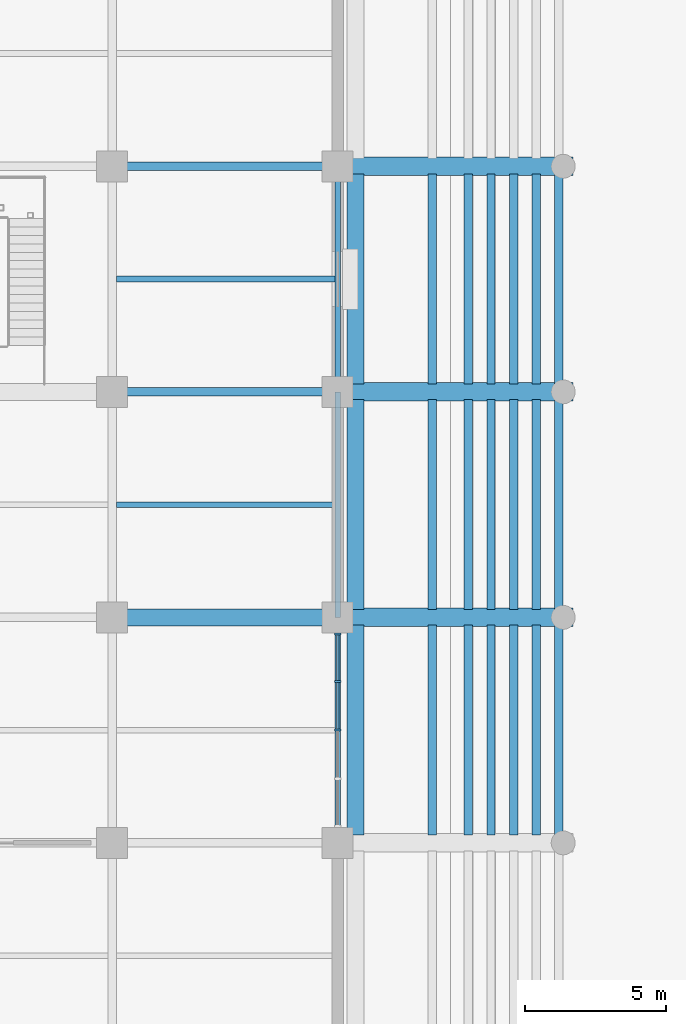
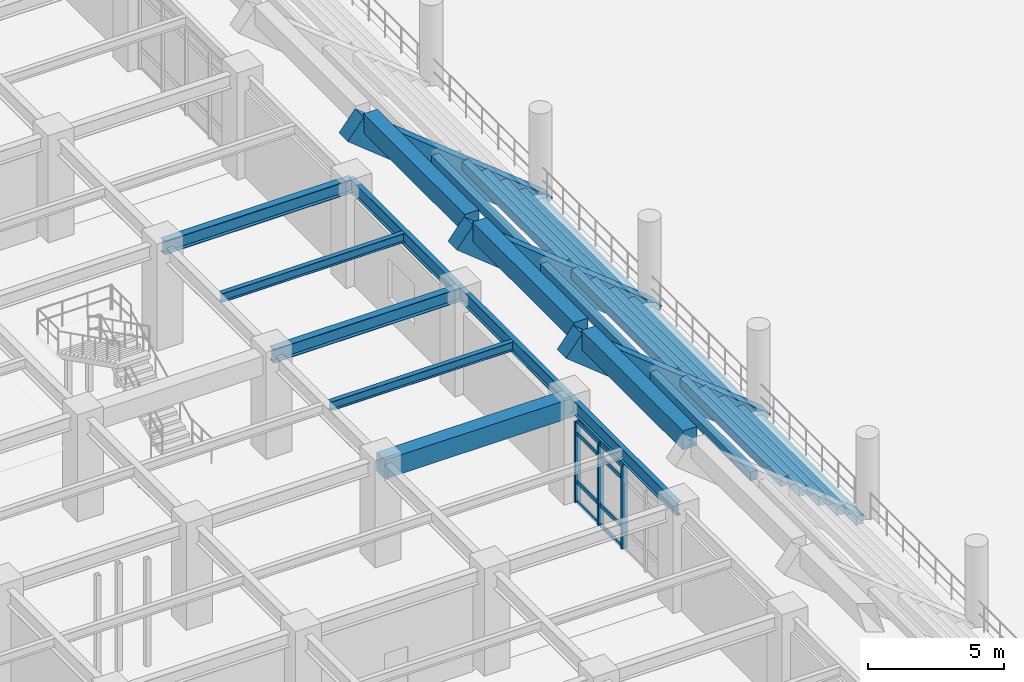
# One storey, part 29 of 125: 32 beams, 11 members, 1 element without a shape of its own.
"""IFC4 building model written with IfcOpenShell, lengths in metres."""

from ifc_helpers import new_model, si_unit, direction, frame, origin, origin_2d, place, context, subcontext, project, spatial, rectangle, i_section, extrude, material, layer, layer_set, material_profile, profile_set, type_object, element, aggregate, save


model = new_model("IFC4")

# Units and contexts
model_context = context("Model", 3, precision=1e-05, world=origin(), true_north=direction((0.0, 1.0)))
body_context = subcontext(model_context, "Body", "Model", "MODEL_VIEW")
ifc_project = project(units=[si_unit("LENGTHUNIT", "METRE"), si_unit("AREAUNIT", "SQUARE_METRE"), si_unit("VOLUMEUNIT", "CUBIC_METRE"), si_unit("PLANEANGLEUNIT", "RADIAN"), si_unit("MASSUNIT", "GRAM", prefix="KILO")], contexts=[model_context])

# Site, building, storey
site_placement = place(None, origin())
site = spatial("IfcSite", under=ifc_project, at=site_placement, CompositionType="ELEMENT")
building_placement = place(site_placement, origin())
building = spatial("IfcBuilding", under=site, at=building_placement, Name="Haebicheon Civic Stadium", CompositionType="ELEMENT")
storey_placement = place(building_placement, origin())
storey = spatial("IfcBuildingStorey", under=building, at=storey_placement, Name="L01", CompositionType="ELEMENT", Elevation=0.0)

# Beams
ifc_material_1 = material(Name="Precast concrete C40/50", Category="concrete")
ifc_material_profile_1 = material_profile(ifc_material_1, rectangle(XDim=0.300048828125, YDim=0.39990234375, at=origin_2d()), Name="PC-LN-300x400")
ifc_profile_set_1 = profile_set([ifc_material_profile_1], Name="Precast concrete C40/50")
beam_type_1 = type_object("IfcBeamType", Name="BM-LN-300x400", PredefinedType="LINTEL", material=ifc_profile_set_1)
for number, where, z_axis, x_axis, name in (
    (1, (71.840087890625, 96.280029296875, 0.760009765625), (0.0, 1.0, 0.0), (-1.0, 0.0, 0.0), "TIER-W-L precast step carrier beam 7.1"),
    (2, (71.0400390625, 96.280029296875, 1.470947265625), (0.0, 1.0, 0.0), (-1.0, 0.0, 0.0), "TIER-W-L precast step carrier beam 7.2"),
    (3, (70.239990234375, 96.280029296875, 2.181884765625), (0.0, 1.0, 0.0), (-1.0, 0.0, 0.0), "TIER-W-L precast step carrier beam 7.3"),
    (4, (69.43994140625, 96.280029296875, 2.89306640625), (0.0, 1.0, 0.0), (-1.0, 0.0, 0.0), "TIER-W-L precast step carrier beam 7.4"),
    (5, (68.639892578125, 96.280029296875, 3.60400390625), (0.0, 1.0, 0.0), (-1.0, 0.0, 0.0), "TIER-W-L precast step carrier beam 7.5"),
    (6, (67.360107421875, 96.280029296875, 4.31591796875), (0.0, 1.0, 0.0), (-1.0, 0.0, 0.0), "TIER-W-L precast step carrier beam 7.6"),
    (7, (71.840087890625, 104.280029296875, 0.760009765625), (0.0, 1.0, 0.0), (-1.0, 0.0, 0.0), "TIER-W-L precast step carrier beam 8.1"),
    (8, (71.0400390625, 104.280029296875, 1.470947265625), (0.0, 1.0, 0.0), (-1.0, 0.0, 0.0), "TIER-W-L precast step carrier beam 8.2"),
    (9, (70.239990234375, 104.280029296875, 2.181884765625), (0.0, 1.0, 0.0), (-1.0, 0.0, 0.0), "TIER-W-L precast step carrier beam 8.3"),
    (10, (69.43994140625, 104.280029296875, 2.89306640625), (0.0, 1.0, 0.0), (-1.0, 0.0, 0.0), "TIER-W-L precast step carrier beam 8.4"),
    (11, (68.639892578125, 104.280029296875, 3.60400390625), (0.0, 1.0, 0.0), (-1.0, 0.0, 0.0), "TIER-W-L precast step carrier beam 8.5"),
    (12, (67.360107421875, 104.280029296875, 4.31591796875), (0.0, 1.0, 0.0), (-1.0, 0.0, 0.0), "TIER-W-L precast step carrier beam 8.6"),
    (13, (71.840087890625, 112.280029296875, 0.760009765625), (0.0, 1.0, 0.0), (-1.0, 0.0, 0.0), "TIER-W-L precast step carrier beam 9.1"),
    (14, (71.0400390625, 112.280029296875, 1.470947265625), (0.0, 1.0, 0.0), (-1.0, 0.0, 0.0), "TIER-W-L precast step carrier beam 9.2"),
    (15, (70.239990234375, 112.280029296875, 2.181884765625), (0.0, 1.0, 0.0), (-1.0, 0.0, 0.0), "TIER-W-L precast step carrier beam 9.3"),
    (16, (69.43994140625, 112.280029296875, 2.89306640625), (0.0, 1.0, 0.0), (-1.0, 0.0, 0.0), "TIER-W-L precast step carrier beam 9.4"),
    (17, (68.639892578125, 112.280029296875, 3.60400390625), (0.0, 1.0, 0.0), (-1.0, 0.0, 0.0), "TIER-W-L precast step carrier beam 9.5"),
    (18, (67.360107421875, 112.280029296875, 4.31591796875), (0.0, 1.0, 0.0), (-1.0, 0.0, 0.0), "TIER-W-L precast step carrier beam 9.6"),
):
    element("IfcBeam", number, at=place(storey_placement, frame(where, z_axis=z_axis, x_axis=x_axis)), inside=storey, type_object=beam_type_1, material=ifc_profile_set_1, Name=name, PredefinedType="LINTEL", context=body_context, shape_type="SweptSolid", body=[
        extrude(rectangle(XDim=0.300048828125, YDim=0.39990234375, at=origin_2d()), origin(), (0.0, 0.0, 1.0), 7.43994140625),
    ])
ifc_material_2 = material(Name="Steel SM355 (S355)", Category="steel")
ifc_material_profile_2 = material_profile(ifc_material_2, i_section(OverallWidth=0.300048828125, OverallDepth=0.60009765625, WebThickness=0.011962890625, FlangeThickness=0.02001953125, at=origin_2d()), Name="H-600x300x12x20")
ifc_profile_set_2 = profile_set([ifc_material_profile_2], Name="Steel SM355 (S355)")
beam_type_2 = type_object("IfcBeamType", Name="BM-ST-H600A", PredefinedType="BEAM", material=ifc_profile_set_2)
for number, where, z_axis, x_axis, name in (
    (19, (56.0, 112.0, 4.179931640625), (1.0, 0.0, 0.0), (0.0, 1.0, 0.0), "L01 beam Q/8-9"),
    (20, (56.0, 120.0, 4.179931640625), (1.0, 0.0, 0.0), (0.0, 1.0, 0.0), "L01 beam R/8-9"),
):
    element("IfcBeam", number, at=place(storey_placement, frame(where, z_axis=z_axis, x_axis=x_axis)), inside=storey, type_object=beam_type_2, material=ifc_profile_set_2, Name=name, PredefinedType="BEAM", context=body_context, shape_type="SweptSolid", body=[
        extrude(i_section(OverallWidth=0.300048828125, OverallDepth=0.60009765625, WebThickness=0.011962890625, FlangeThickness=0.02001953125, at=origin_2d()), origin(), (0.0, 0.0, 1.0), 8.0),
    ])
ifc_material_3 = material(Name="Precast concrete C40/50", Category="concrete")
ifc_material_profile_3 = material_profile(ifc_material_3, rectangle(XDim=0.60009765625, YDim=0.85009765625, at=origin_2d()), Name="PC-TB-600x850")
ifc_profile_set_3 = profile_set([ifc_material_profile_3], Name="Precast concrete C40/50")
beam_type_3 = type_object("IfcBeamType", Name="BM-TB-600x850", PredefinedType="T_BEAM", material=ifc_profile_set_3)
beam_placement = place(storey_placement, frame((56.0, 104.0, 4.054931640625), z_axis=(1.0, 0.0, 0.0), x_axis=(0.0, 1.0, 0.0)))
element("IfcBeam", 21, at=beam_placement, inside=storey, type_object=beam_type_3, material=ifc_profile_set_3, Name="L01 beam P/8-9", PredefinedType="T_BEAM", context=body_context, shape_type="SweptSolid", body=[
    extrude(rectangle(XDim=0.60009765625, YDim=0.85009765625, at=origin_2d()), origin(), (0.0, 0.0, 1.0), 8.0),
])
for number, where, z_axis, x_axis, name in (
    (22, (64.639892578125, 96.280029296875, 6.93505859375), (0.0, 1.0, 0.0), (-1.0, 0.0, 0.0), "TIER-W-L upper tier bench carrier beam 7"),
    (23, (64.639892578125, 104.280029296875, 6.93505859375), (0.0, 1.0, 0.0), (-1.0, 0.0, 0.0), "TIER-W-L upper tier bench carrier beam 8"),
    (24, (64.639892578125, 112.280029296875, 6.93505859375), (0.0, 1.0, 0.0), (-1.0, 0.0, 0.0), "TIER-W-L upper tier bench carrier beam 9"),
):
    element("IfcBeam", number, at=place(storey_placement, frame(where, z_axis=z_axis, x_axis=x_axis)), inside=storey, type_object=beam_type_3, material=ifc_profile_set_3, Name=name, PredefinedType="T_BEAM", context=body_context, shape_type="SweptSolid", body=[
        extrude(rectangle(XDim=0.60009765625, YDim=0.85009765625, at=origin_2d()), origin(), (0.0, 0.0, 1.0), 7.43994140625),
    ])

# Curtain wall, members
ifc_material_4 = material(Name="Anodised aluminium and laminated glass", Category="aluminium")
ifc_layer = layer(ifc_material_4, 0.179931640625, Name="Anodised aluminium and laminated glass")
ifc_layer_set = layer_set([ifc_layer], Name="Anodised aluminium and laminated glass")
curtain_wall_type = type_object("IfcCurtainWallType", Name="CW-6900x3620", PredefinedType="NOTDEFINED", material=ifc_layer_set)
curtain_wall_placement = place(storey_placement, origin())
curtain_wall = element("IfcCurtainWall", 25, at=curtain_wall_placement, inside=storey, type_object=curtain_wall_type, material=ifc_layer_set, Name="L01 unitised curtain wall 007", PredefinedType="NOTDEFINED")
ifc_material_5 = material(Name="Anodised aluminium 6063-T6", Category="aluminium")
ifc_material_profile_4 = material_profile(ifc_material_5, rectangle(XDim=0.080078125, YDim=0.239990234375, at=origin_2d()), Name="ALU-MULL-80x240")
ifc_profile_set_4 = profile_set([ifc_material_profile_4], Name="Anodised aluminium 6063-T6")
member_type_1 = type_object("IfcMemberType", Name="CWM-240x80", PredefinedType="MULLION", material=ifc_profile_set_4)
member_1_placement = place(storey_placement, frame((64.0, 100.0, 0.0), z_axis=(0.0, 0.0, 1.0), x_axis=(0.0, 1.0, 0.0)))
member_1 = element("IfcMember", 26, at=member_1_placement, type_object=member_type_1, material=ifc_profile_set_4, Name="CW-L01-007 vertical mullion 3", PredefinedType="MULLION", context=body_context, shape_type="SweptSolid", body=[
    extrude(rectangle(XDim=0.080078125, YDim=0.239990234375, at=origin_2d()), origin(), (0.0, 0.0, 1.0), 3.6201171875),
])
member_2_placement = place(storey_placement, frame((64.0, 101.72509765625, 0.0), z_axis=(0.0, 0.0, 1.0), x_axis=(0.0, 1.0, 0.0)))
member_2 = element("IfcMember", 27, at=member_2_placement, type_object=member_type_1, material=ifc_profile_set_4, Name="CW-L01-007 vertical mullion 4", PredefinedType="MULLION", context=body_context, shape_type="SweptSolid", body=[
    extrude(rectangle(XDim=0.080078125, YDim=0.239990234375, at=origin_2d()), origin(), (0.0, 0.0, 1.0), 3.6201171875),
])
member_3_placement = place(storey_placement, frame((64.0, 103.409912109375, 0.0), z_axis=(0.0, 0.0, 1.0), x_axis=(0.0, 1.0, 0.0)))
member_3 = element("IfcMember", 28, at=member_3_placement, type_object=member_type_1, material=ifc_profile_set_4, Name="CW-L01-007 vertical mullion 5", PredefinedType="MULLION", context=body_context, shape_type="SweptSolid", body=[
    extrude(rectangle(XDim=0.080078125, YDim=0.239990234375, at=origin_2d()), origin(), (0.0, 0.0, 1.0), 3.6201171875),
])
ifc_material_6 = material(Name="Anodised aluminium 6063-T6", Category="aluminium")
ifc_material_profile_5 = material_profile(ifc_material_6, rectangle(XDim=0.080078125, YDim=0.179931640625, at=origin_2d()), Name="ALU-TRAN-80x180")
ifc_profile_set_5 = profile_set([ifc_material_profile_5], Name="Anodised aluminium 6063-T6")
member_type_2 = type_object("IfcMemberType", Name="CWT-180x80", PredefinedType="NOTDEFINED", material=ifc_profile_set_5)
member_4_placement = place(storey_placement, frame((64.0, 100.0400390625, 0.0), z_axis=(0.0, 1.0, 0.0), x_axis=(-1.0, 0.0, 0.0)))
member_4 = element("IfcMember", 29, at=member_4_placement, type_object=member_type_2, material=ifc_profile_set_5, Name="CW-L01-007 horizontal transom 3.1", ObjectType="TRANSOM", PredefinedType="USERDEFINED", context=body_context, shape_type="SweptSolid", body=[
    extrude(rectangle(XDim=0.080078125, YDim=0.179931640625, at=origin_2d()), origin(), (0.0, 0.0, 1.0), 1.64501953125),
])
member_5_placement = place(storey_placement, frame((64.0, 100.0400390625, 0.89990234375), z_axis=(0.0, 1.0, 0.0), x_axis=(-1.0, 0.0, 0.0)))
member_5 = element("IfcMember", 30, at=member_5_placement, type_object=member_type_2, material=ifc_profile_set_5, Name="CW-L01-007 horizontal transom 3.2", ObjectType="TRANSOM", PredefinedType="USERDEFINED", context=body_context, shape_type="SweptSolid", body=[
    extrude(rectangle(XDim=0.080078125, YDim=0.179931640625, at=origin_2d()), origin(), (0.0, 0.0, 1.0), 1.64501953125),
])
member_6_placement = place(storey_placement, frame((64.0, 100.0400390625, 3.070068359375), z_axis=(0.0, 1.0, 0.0), x_axis=(-1.0, 0.0, 0.0)))
member_6 = element("IfcMember", 31, at=member_6_placement, type_object=member_type_2, material=ifc_profile_set_5, Name="CW-L01-007 horizontal transom 3.3", ObjectType="TRANSOM", PredefinedType="USERDEFINED", context=body_context, shape_type="SweptSolid", body=[
    extrude(rectangle(XDim=0.080078125, YDim=0.179931640625, at=origin_2d()), origin(), (0.0, 0.0, 1.0), 1.64501953125),
])
member_7_placement = place(storey_placement, frame((64.0, 100.0400390625, 3.6201171875), z_axis=(0.0, 1.0, 0.0), x_axis=(-1.0, 0.0, 0.0)))
member_7 = element("IfcMember", 32, at=member_7_placement, type_object=member_type_2, material=ifc_profile_set_5, Name="CW-L01-007 horizontal transom 3.4", ObjectType="TRANSOM", PredefinedType="USERDEFINED", context=body_context, shape_type="SweptSolid", body=[
    extrude(rectangle(XDim=0.080078125, YDim=0.179931640625, at=origin_2d()), origin(), (0.0, 0.0, 1.0), 1.64501953125),
])
member_8_placement = place(storey_placement, frame((64.0, 101.764892578125, 0.0), z_axis=(0.0, 1.0, 0.0), x_axis=(-1.0, 0.0, 0.0)))
member_8 = element("IfcMember", 33, at=member_8_placement, type_object=member_type_2, material=ifc_profile_set_5, Name="CW-L01-007 horizontal transom 4.1", ObjectType="TRANSOM", PredefinedType="USERDEFINED", context=body_context, shape_type="SweptSolid", body=[
    extrude(rectangle(XDim=0.080078125, YDim=0.179931640625, at=origin_2d()), origin(), (0.0, 0.0, 1.0), 1.605224609375),
])
member_9_placement = place(storey_placement, frame((64.0, 101.764892578125, 0.89990234375), z_axis=(0.0, 1.0, 0.0), x_axis=(-1.0, 0.0, 0.0)))
member_9 = element("IfcMember", 34, at=member_9_placement, type_object=member_type_2, material=ifc_profile_set_5, Name="CW-L01-007 horizontal transom 4.2", ObjectType="TRANSOM", PredefinedType="USERDEFINED", context=body_context, shape_type="SweptSolid", body=[
    extrude(rectangle(XDim=0.080078125, YDim=0.179931640625, at=origin_2d()), origin(), (0.0, 0.0, 1.0), 1.605224609375),
])
member_10_placement = place(storey_placement, frame((64.0, 101.764892578125, 3.070068359375), z_axis=(0.0, 1.0, 0.0), x_axis=(-1.0, 0.0, 0.0)))
member_10 = element("IfcMember", 35, at=member_10_placement, type_object=member_type_2, material=ifc_profile_set_5, Name="CW-L01-007 horizontal transom 4.3", ObjectType="TRANSOM", PredefinedType="USERDEFINED", context=body_context, shape_type="SweptSolid", body=[
    extrude(rectangle(XDim=0.080078125, YDim=0.179931640625, at=origin_2d()), origin(), (0.0, 0.0, 1.0), 1.605224609375),
])
member_11_placement = place(storey_placement, frame((64.0, 101.764892578125, 3.6201171875), z_axis=(0.0, 1.0, 0.0), x_axis=(-1.0, 0.0, 0.0)))
member_11 = element("IfcMember", 36, at=member_11_placement, type_object=member_type_2, material=ifc_profile_set_5, Name="CW-L01-007 horizontal transom 4.4", ObjectType="TRANSOM", PredefinedType="USERDEFINED", context=body_context, shape_type="SweptSolid", body=[
    extrude(rectangle(XDim=0.080078125, YDim=0.179931640625, at=origin_2d()), origin(), (0.0, 0.0, 1.0), 1.605224609375),
])
aggregate(curtain_wall, [member_1, member_2, member_3, member_4, member_5, member_6, member_7, member_8, member_9, member_10, member_11])

# Beams
ifc_material_7 = material(Name="Steel SM355 (S355)", Category="steel")
ifc_material_profile_6 = material_profile(ifc_material_7, i_section(OverallWidth=0.199951171875, OverallDepth=0.39990234375, WebThickness=0.008056640625, FlangeThickness=0.012939453125, at=origin_2d()), Name="H-400x200x8x13")
ifc_profile_set_6 = profile_set([ifc_material_profile_6], Name="Steel SM355 (S355)")
beam_type_4 = type_object("IfcBeamType", Name="JST-ST-H400", PredefinedType="JOIST", material=ifc_profile_set_6)
for number, where, z_axis, x_axis, name in (
    (37, (56.14990234375, 108.0, 4.280029296875), (1.0, 0.0, 0.0), (0.0, 1.0, 0.0), "L01 secondary joist 07-13"),
    (38, (56.14990234375, 116.0, 4.280029296875), (1.0, 0.0, 0.0), (0.0, 1.0, 0.0), "L01 secondary joist 07-14"),
):
    element("IfcBeam", number, at=place(storey_placement, frame(where, z_axis=z_axis, x_axis=x_axis)), inside=storey, type_object=beam_type_4, material=ifc_profile_set_6, Name=name, PredefinedType="JOIST", context=body_context, shape_type="SweptSolid", body=[
        extrude(i_section(OverallWidth=0.199951171875, OverallDepth=0.39990234375, WebThickness=0.008056640625, FlangeThickness=0.012939453125, at=origin_2d()), origin(), (0.0, 0.0, 1.0), 7.75),
    ])
ifc_material_8 = material(Name="Precast concrete C40/50", Category="concrete")
ifc_material_profile_7 = material_profile(ifc_material_8, rectangle(XDim=0.64990234375, YDim=1.10009765625, at=origin_2d()), Name="PC-RK-650x1100")
ifc_profile_set_7 = profile_set([ifc_material_profile_7], Name="Precast concrete C40/50")
beam_type_5 = type_object("IfcBeamType", Name="RK-PC-650x1100", PredefinedType="USERDEFINED", material=ifc_profile_set_7)
for number, where, z_axis, x_axis, name in (
    (39, (72.0, 104.0, 0.409912109375), (-0.780861834757, 0.0, 0.624703765813), (0.0, -1.0, 0.0), "TIER-W-L inclined precast raker beam 8"),
    (40, (72.0, 112.0, 0.409912109375), (-0.780861834757, 0.0, 0.624703765813), (0.0, -1.0, 0.0), "TIER-W-L inclined precast raker beam 9"),
    (41, (72.0, 120.0, 0.409912109375), (-0.780861834757, 0.0, 0.624703765813), (0.0, -1.0, 0.0), "TIER-W-L inclined precast raker beam 10"),
):
    element("IfcBeam", number, at=place(storey_placement, frame(where, z_axis=z_axis, x_axis=x_axis)), inside=storey, type_object=beam_type_5, material=ifc_profile_set_7, Name=name, ObjectType="RAKER BEAM", PredefinedType="USERDEFINED", context=body_context, shape_type="SweptSolid", body=[
        extrude(rectangle(XDim=0.64990234375, YDim=1.10009765625, at=origin_2d()), origin(), (0.0, 0.0, 1.0), 10.2451171875),
    ])
ifc_material_9 = material(Name="Steel SM355 (S355)", Category="steel")
ifc_material_profile_8 = material_profile(ifc_material_9, i_section(OverallWidth=0.199951171875, OverallDepth=0.60009765625, WebThickness=0.010986328125, FlangeThickness=0.01708984375, at=origin_2d()), Name="H-600x200x11x17")
ifc_profile_set_8 = profile_set([ifc_material_profile_8], Name="Steel SM355 (S355)")
beam_type_6 = type_object("IfcBeamType", Name="SPD-ST-H600B", PredefinedType="SPANDREL", material=ifc_profile_set_8)
for number, where, z_axis, x_axis, name in (
    (42, (64.0, 96.0, 4.179931640625), (0.0, 1.0, 0.0), (-1.0, 0.0, 0.0), "L01 girder 9/N-P"),
    (43, (64.0, 104.0, 4.179931640625), (0.0, 1.0, 0.0), (-1.0, 0.0, 0.0), "L01 girder 9/P-Q"),
    (44, (64.0, 112.0, 4.179931640625), (0.0, 1.0, 0.0), (-1.0, 0.0, 0.0), "L01 girder 9/Q-R"),
):
    element("IfcBeam", number, at=place(storey_placement, frame(where, z_axis=z_axis, x_axis=x_axis)), inside=storey, type_object=beam_type_6, material=ifc_profile_set_8, Name=name, PredefinedType="SPANDREL", context=body_context, shape_type="SweptSolid", body=[
        extrude(i_section(OverallWidth=0.199951171875, OverallDepth=0.60009765625, WebThickness=0.010986328125, FlangeThickness=0.01708984375, at=origin_2d()), origin(), (0.0, 0.0, 1.0), 8.0),
    ])

save(model, "model.ifc")
